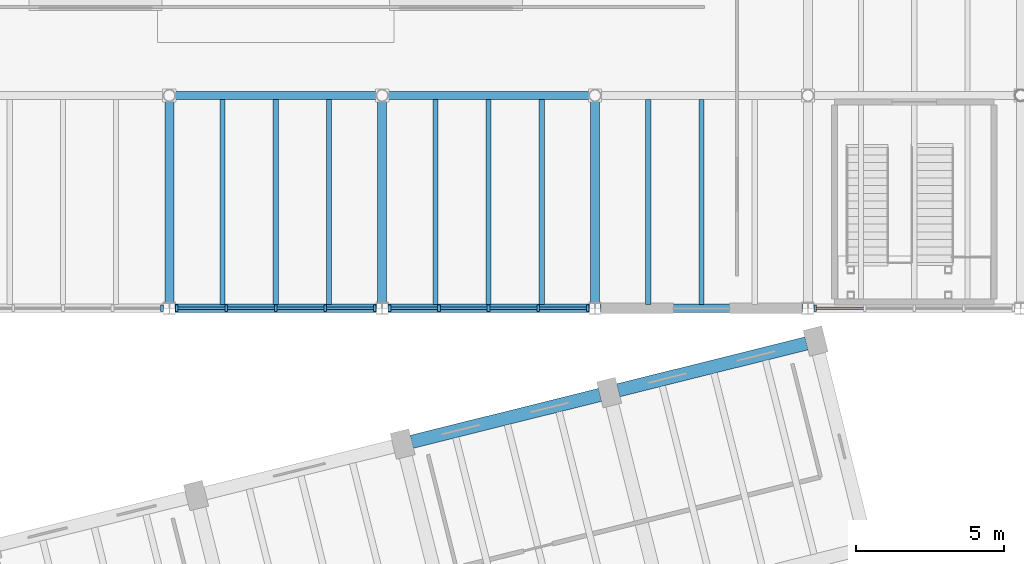
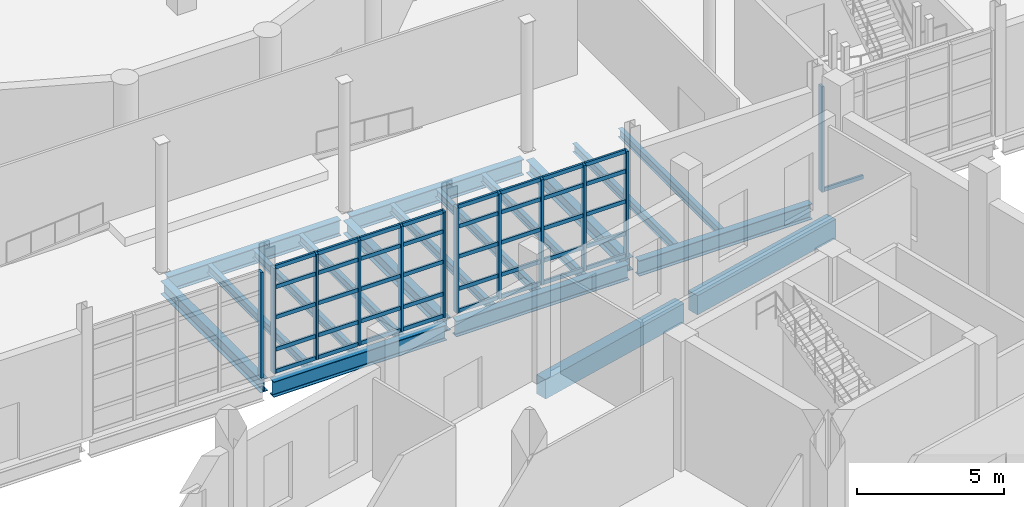
# One storey, part 25 of 79: 53 members, 18 beams, 4 elements without a shape of their own.
"""IFC4 building model written with IfcOpenShell, lengths in metres."""

from ifc_helpers import new_model, si_unit, direction, frame, origin, origin_2d, place, context, subcontext, project, spatial, rectangle, i_section, extrude, material, material_profile, profile_set, type_object, element, aggregate, save


model = new_model("IFC4")

# Units and contexts
model_context = context("Model", 3, precision=1e-05, world=origin(), true_north=direction((0.0, 1.0)))
body_context = subcontext(model_context, "Body", "Model", "MODEL_VIEW")
ifc_project = project(units=[si_unit("LENGTHUNIT", "METRE"), si_unit("AREAUNIT", "SQUARE_METRE"), si_unit("VOLUMEUNIT", "CUBIC_METRE"), si_unit("PLANEANGLEUNIT", "RADIAN"), si_unit("MASSUNIT", "GRAM", prefix="KILO")], contexts=[model_context])

# Site, building, storey
site_placement = place(None, origin())
site = spatial("IfcSite", under=ifc_project, at=site_placement, CompositionType="ELEMENT")
building_placement = place(site_placement, origin())
building = spatial("IfcBuilding", under=site, at=building_placement, Name="Qiaolan Assembly House", CompositionType="ELEMENT")
storey_placement = place(building_placement, origin())
storey = spatial("IfcBuildingStorey", under=building, at=storey_placement, Name="L00", CompositionType="ELEMENT", Elevation=0.0)

# Beams
ifc_material_1 = material(Name="Concrete C40/50", Category="concrete")
ifc_material_profile_1 = material_profile(ifc_material_1, rectangle(XDim=0.449951171875, YDim=0.800048828125, at=origin_2d()), Name="RCB 450x800")
ifc_profile_set_1 = profile_set([ifc_material_profile_1], Name="Concrete C40/50")
beam_type_1 = type_object("IfcBeamType", Name="BM-RC-450x800", PredefinedType="BEAM", material=ifc_profile_set_1)
beam_1_placement = place(storey_placement, frame((72.996826171875, 31.485595703125, -0.64990234375), z_axis=(0.970299675821, 0.241906054289, 0.0), x_axis=(-0.241906054289, 0.970299675821, 0.0)))
element("IfcBeam", 1, at=beam_1_placement, inside=storey, type_object=beam_type_1, Name="GB-03 beam BMU-SE-L00-06-03", PredefinedType="BEAM", context=body_context, shape_type="SweptSolid", body=[
    extrude(rectangle(XDim=0.449951171875, YDim=0.800048828125, at=origin_2d()), origin(), (0.0, 0.0, 1.0), 6.570068359375),
])
beam_2_placement = place(storey_placement, frame((79.983154296875, 33.2275390625, -0.64990234375), z_axis=(0.970297501204, 0.24191477664, 0.0), x_axis=(-0.24191477664, 0.970297501204, 0.0)))
element("IfcBeam", 2, at=beam_2_placement, inside=storey, type_object=beam_type_1, Name="GB-03 beam BMU-SE-L00-07-03", PredefinedType="BEAM", context=body_context, shape_type="SweptSolid", body=[
    extrude(rectangle(XDim=0.449951171875, YDim=0.800048828125, at=origin_2d()), origin(), (0.0, 0.0, 1.0), 6.56982421875),
])
ifc_material_2 = material(Name="Steel Q355B", Category="steel")
ifc_material_profile_2 = material_profile(ifc_material_2, i_section(OverallWidth=0.300048828125, OverallDepth=0.5400390625, WebThickness=0.010986328125, FlangeThickness=0.01806640625, FilletRadius=0.02001953125, at=origin_2d()), Name="HM 540x300x11x18")
ifc_profile_set_2 = profile_set([ifc_material_profile_2], Name="Steel Q355B")
beam_type_2 = type_object("IfcBeamType", Name="BM-STL-HM540", PredefinedType="BEAM", material=ifc_profile_set_2)
for number, where, z_axis, x_axis, name in (
    (3, (64.800048828125, 36.18994140625, -0.570068359375), (0.0, 1.0, 0.0), (-1.0, 0.0, 0.0), "SB-12 beam BMY-HL-L00-06-00"),
    (4, (72.0, 36.18994140625, -0.570068359375), (0.0, 1.0, 0.0), (-1.0, 0.0, 0.0), "SB-12 beam BMY-HL-L00-07-00"),
    (5, (79.199951171875, 36.18994140625, -0.570068359375), (0.0, 1.0, 0.0), (-1.0, 0.0, 0.0), "SB-12 beam BMY-HL-L00-08-00"),
):
    element("IfcBeam", number, at=place(storey_placement, frame(where, z_axis=z_axis, x_axis=x_axis)), inside=storey, type_object=beam_type_2, Name=name, PredefinedType="BEAM", context=body_context, shape_type="SweptSolid", body=[
        extrude(i_section(OverallWidth=0.300048828125, OverallDepth=0.5400390625, WebThickness=0.010986328125, FlangeThickness=0.01806640625, FilletRadius=0.02001953125, at=origin_2d()), origin(), (0.0, 0.0, 1.0), 6.81689453125),
    ])
ifc_material_profile_3 = material_profile(ifc_material_2, i_section(OverallWidth=0.280029296875, OverallDepth=0.64990234375, WebThickness=0.011962890625, FlangeThickness=0.02197265625, FilletRadius=0.02197265625, at=origin_2d()), Name="HN 650x280x12x22")
ifc_profile_set_3 = profile_set([ifc_material_profile_3], Name="Steel Q355B")
beam_type_3 = type_object("IfcBeamType", Name="BM-STL-HN650", PredefinedType="BEAM", material=ifc_profile_set_3)
for number, where, z_axis, x_axis, name in (
    (6, (64.989990234375, 36.0, -0.625), (1.0, 0.0, 0.0), (0.0, 1.0, 0.0), "SB-10 beam BMX-HL-L00-06-00"),
    (7, (72.18994140625, 36.0, -0.625), (1.0, 0.0, 0.0), (0.0, 1.0, 0.0), "SB-10 beam BMX-HL-L00-07-00"),
    (8, (79.389892578125, 36.0, -0.625), (1.0, 0.0, 0.0), (0.0, 1.0, 0.0), "SB-10 beam BMX-HL-L00-08-00"),
):
    element("IfcBeam", number, at=place(storey_placement, frame(where, z_axis=z_axis, x_axis=x_axis)), inside=storey, type_object=beam_type_3, Name=name, PredefinedType="BEAM", context=body_context, shape_type="SweptSolid", body=[
        extrude(i_section(OverallWidth=0.280029296875, OverallDepth=0.64990234375, WebThickness=0.011962890625, FlangeThickness=0.02197265625, FilletRadius=0.02197265625, at=origin_2d()), origin(), (0.0, 0.0, 1.0), 6.820068359375),
    ])
for number, where, z_axis, x_axis, name in (
    (9, (64.9931640625, 43.199951171875, -0.625), (1.0, 0.0, 0.0), (0.0, 1.0, 0.0), "SB-10 beam BMX-HL-L00-06-01"),
    (10, (72.193115234375, 43.199951171875, -0.625), (1.0, 0.0, 0.0), (0.0, 1.0, 0.0), "SB-10 beam BMX-HL-L00-07-01"),
):
    element("IfcBeam", number, at=place(storey_placement, frame(where, z_axis=z_axis, x_axis=x_axis)), inside=storey, type_object=beam_type_3, Name=name, PredefinedType="BEAM", context=body_context, shape_type="SweptSolid", body=[
        extrude(i_section(OverallWidth=0.280029296875, OverallDepth=0.64990234375, WebThickness=0.011962890625, FlangeThickness=0.02197265625, FilletRadius=0.02197265625, at=origin_2d()), origin(), (0.0, 0.0, 1.0), 6.813720703125),
    ])

# Curtain wall, member
ifc_material_3 = material(Name="Anodised bronze aluminium", Category="aluminium")
curtain_wall_type = type_object("IfcCurtainWallType", Name="CW-HALL-MAIN-540", PredefinedType="NOTDEFINED", material=ifc_material_3)
curtain_wall_1_placement = place(storey_placement, origin())
curtain_wall_1 = element("IfcCurtainWall", 11, at=curtain_wall_1_placement, inside=storey, type_object=curtain_wall_type, Name="CW-01 Hall South plaza curtain wall L00-5", PredefinedType="NOTDEFINED")
ifc_material_profile_4 = material_profile(ifc_material_3, rectangle(XDim=0.092041015625, YDim=0.219970703125, at=origin_2d()), Name="MUL 92x220")
ifc_profile_set_4 = profile_set([ifc_material_profile_4], Name="Anodised bronze aluminium")
member_type_1 = type_object("IfcMemberType", Name="CW-HALL-MAIN-540-MUL", PredefinedType="MULLION", material=ifc_profile_set_4)
member_1_placement = place(storey_placement, frame((64.550048828125, 36.0, 0.0), z_axis=(0.0, 0.0, 1.0), x_axis=(1.0, 0.0, 0.0)))
member_1 = element("IfcMember", 12, at=member_1_placement, type_object=member_type_1, Name="ML-01 mullion CW-HALL-S-L00-04-5", PredefinedType="MULLION", context=body_context, shape_type="SweptSolid", body=[
    extrude(rectangle(XDim=0.092041015625, YDim=0.219970703125, at=origin_2d()), origin(), (0.0, 0.0, 1.0), 4.39990234375),
])
aggregate(curtain_wall_1, [member_1])

# Curtain wall, members
curtain_wall_2_placement = place(storey_placement, origin())
curtain_wall_2 = element("IfcCurtainWall", 13, at=curtain_wall_2_placement, inside=storey, type_object=curtain_wall_type, Name="CW-01 Hall South plaza curtain wall L00-6", PredefinedType="NOTDEFINED")
member_2_placement = place(storey_placement, frame((65.050048828125, 36.0, 0.0), z_axis=(0.0, 0.0, 1.0), x_axis=(1.0, 0.0, 0.0)))
member_2 = element("IfcMember", 14, at=member_2_placement, type_object=member_type_1, Name="ML-01 mullion CW-HALL-S-L00-05-1", PredefinedType="MULLION", context=body_context, shape_type="SweptSolid", body=[
    extrude(rectangle(XDim=0.092041015625, YDim=0.219970703125, at=origin_2d()), origin(), (0.0, 0.0, 1.0), 4.39990234375),
])
member_3_placement = place(storey_placement, frame((66.72509765625, 36.0, 0.0), z_axis=(0.0, 0.0, 1.0), x_axis=(1.0, 0.0, 0.0)))
member_3 = element("IfcMember", 15, at=member_3_placement, type_object=member_type_1, Name="ML-01 mullion CW-HALL-S-L00-05-2", PredefinedType="MULLION", context=body_context, shape_type="SweptSolid", body=[
    extrude(rectangle(XDim=0.092041015625, YDim=0.219970703125, at=origin_2d()), origin(), (0.0, 0.0, 1.0), 4.39990234375),
])
member_4_placement = place(storey_placement, frame((68.39990234375, 36.0, 0.0), z_axis=(0.0, 0.0, 1.0), x_axis=(1.0, 0.0, 0.0)))
member_4 = element("IfcMember", 16, at=member_4_placement, type_object=member_type_1, Name="ML-01 mullion CW-HALL-S-L00-05-3", PredefinedType="MULLION", context=body_context, shape_type="SweptSolid", body=[
    extrude(rectangle(XDim=0.092041015625, YDim=0.219970703125, at=origin_2d()), origin(), (0.0, 0.0, 1.0), 4.39990234375),
])
member_5_placement = place(storey_placement, frame((70.074951171875, 36.0, 0.0), z_axis=(0.0, 0.0, 1.0), x_axis=(1.0, 0.0, 0.0)))
member_5 = element("IfcMember", 17, at=member_5_placement, type_object=member_type_1, Name="ML-01 mullion CW-HALL-S-L00-05-4", PredefinedType="MULLION", context=body_context, shape_type="SweptSolid", body=[
    extrude(rectangle(XDim=0.092041015625, YDim=0.219970703125, at=origin_2d()), origin(), (0.0, 0.0, 1.0), 4.39990234375),
])
member_6_placement = place(storey_placement, frame((71.75, 36.0, 0.0), z_axis=(0.0, 0.0, 1.0), x_axis=(1.0, 0.0, 0.0)))
member_6 = element("IfcMember", 18, at=member_6_placement, type_object=member_type_1, Name="ML-01 mullion CW-HALL-S-L00-05-5", PredefinedType="MULLION", context=body_context, shape_type="SweptSolid", body=[
    extrude(rectangle(XDim=0.092041015625, YDim=0.219970703125, at=origin_2d()), origin(), (0.0, 0.0, 1.0), 4.39990234375),
])

curtain_wall_3_placement = place(storey_placement, origin())
curtain_wall_3 = element("IfcCurtainWall", 19, at=curtain_wall_3_placement, inside=storey, type_object=curtain_wall_type, Name="CW-01 Hall South plaza curtain wall L00-7", PredefinedType="NOTDEFINED")
member_7_placement = place(storey_placement, frame((72.25, 36.0, 0.0), z_axis=(0.0, 0.0, 1.0), x_axis=(1.0, 0.0, 0.0)))
member_7 = element("IfcMember", 20, at=member_7_placement, type_object=member_type_1, Name="ML-01 mullion CW-HALL-S-L00-06-1", PredefinedType="MULLION", context=body_context, shape_type="SweptSolid", body=[
    extrude(rectangle(XDim=0.092041015625, YDim=0.219970703125, at=origin_2d()), origin(), (0.0, 0.0, 1.0), 4.39990234375),
])
member_8_placement = place(storey_placement, frame((73.925048828125, 36.0, 0.0), z_axis=(0.0, 0.0, 1.0), x_axis=(1.0, 0.0, 0.0)))
member_8 = element("IfcMember", 21, at=member_8_placement, type_object=member_type_1, Name="ML-01 mullion CW-HALL-S-L00-06-2", PredefinedType="MULLION", context=body_context, shape_type="SweptSolid", body=[
    extrude(rectangle(XDim=0.092041015625, YDim=0.219970703125, at=origin_2d()), origin(), (0.0, 0.0, 1.0), 4.39990234375),
])
member_9_placement = place(storey_placement, frame((75.60009765625, 36.0, 0.0), z_axis=(0.0, 0.0, 1.0), x_axis=(1.0, 0.0, 0.0)))
member_9 = element("IfcMember", 22, at=member_9_placement, type_object=member_type_1, Name="ML-01 mullion CW-HALL-S-L00-06-3", PredefinedType="MULLION", context=body_context, shape_type="SweptSolid", body=[
    extrude(rectangle(XDim=0.092041015625, YDim=0.219970703125, at=origin_2d()), origin(), (0.0, 0.0, 1.0), 4.39990234375),
])
member_10_placement = place(storey_placement, frame((77.27490234375, 36.0, 0.0), z_axis=(0.0, 0.0, 1.0), x_axis=(1.0, 0.0, 0.0)))
member_10 = element("IfcMember", 23, at=member_10_placement, type_object=member_type_1, Name="ML-01 mullion CW-HALL-S-L00-06-4", PredefinedType="MULLION", context=body_context, shape_type="SweptSolid", body=[
    extrude(rectangle(XDim=0.092041015625, YDim=0.219970703125, at=origin_2d()), origin(), (0.0, 0.0, 1.0), 4.39990234375),
])
member_11_placement = place(storey_placement, frame((78.949951171875, 36.0, 0.0), z_axis=(0.0, 0.0, 1.0), x_axis=(1.0, 0.0, 0.0)))
member_11 = element("IfcMember", 24, at=member_11_placement, type_object=member_type_1, Name="ML-01 mullion CW-HALL-S-L00-06-5", PredefinedType="MULLION", context=body_context, shape_type="SweptSolid", body=[
    extrude(rectangle(XDim=0.092041015625, YDim=0.219970703125, at=origin_2d()), origin(), (0.0, 0.0, 1.0), 4.39990234375),
])

# Curtain wall, member
curtain_wall_4_placement = place(storey_placement, origin())
curtain_wall_4 = element("IfcCurtainWall", 25, at=curtain_wall_4_placement, inside=storey, type_object=curtain_wall_type, Name="CW-01 Hall South plaza curtain wall L00-9", PredefinedType="NOTDEFINED")
member_12_placement = place(storey_placement, frame((86.64990234375, 36.0, 0.0), z_axis=(0.0, 0.0, 1.0), x_axis=(1.0, 0.0, 0.0)))
member_12 = element("IfcMember", 26, at=member_12_placement, type_object=member_type_1, Name="ML-01 mullion CW-HALL-S-L00-08-1", PredefinedType="MULLION", context=body_context, shape_type="SweptSolid", body=[
    extrude(rectangle(XDim=0.092041015625, YDim=0.219970703125, at=origin_2d()), origin(), (0.0, 0.0, 1.0), 4.39990234375),
])

# Member
ifc_material_profile_5 = material_profile(ifc_material_3, rectangle(XDim=0.08203125, YDim=0.159912109375, at=origin_2d()), Name="TRN 82x160")
ifc_profile_set_5 = profile_set([ifc_material_profile_5], Name="Anodised bronze aluminium")
member_type_2 = type_object("IfcMemberType", Name="CW-HALL-MAIN-540-TRN", PredefinedType="USERDEFINED", material=ifc_profile_set_5)
member_13_placement = place(storey_placement, frame((65.095947265625, 36.0, 0.030029296875), z_axis=(1.0, 0.0, 0.0), x_axis=(0.0, 1.0, 0.0)))
member_13 = element("IfcMember", 27, at=member_13_placement, type_object=member_type_2, Name="TR-01 transom CW-HALL-S-L00-05-1-1", ObjectType="TRANSOM", PredefinedType="USERDEFINED", context=body_context, shape_type="SweptSolid", body=[
    extrude(rectangle(XDim=0.08203125, YDim=0.159912109375, at=origin_2d()), origin(), (0.0, 0.0, 1.0), 1.5830078125),
])

member_14_placement = place(storey_placement, frame((65.095947265625, 36.0, 0.949951171875), z_axis=(1.0, 0.0, 0.0), x_axis=(0.0, 1.0, 0.0)))
member_14 = element("IfcMember", 28, at=member_14_placement, type_object=member_type_2, Name="TR-01 transom CW-HALL-S-L00-05-1-2", ObjectType="TRANSOM", PredefinedType="USERDEFINED", context=body_context, shape_type="SweptSolid", body=[
    extrude(rectangle(XDim=0.08203125, YDim=0.159912109375, at=origin_2d()), origin(), (0.0, 0.0, 1.0), 1.5830078125),
])

member_15_placement = place(storey_placement, frame((65.095947265625, 36.0, 2.2880859375), z_axis=(1.0, 0.0, 0.0), x_axis=(0.0, 1.0, 0.0)))
member_15 = element("IfcMember", 29, at=member_15_placement, type_object=member_type_2, Name="TR-01 transom CW-HALL-S-L00-05-1-3", ObjectType="TRANSOM", PredefinedType="USERDEFINED", context=body_context, shape_type="SweptSolid", body=[
    extrude(rectangle(XDim=0.08203125, YDim=0.159912109375, at=origin_2d()), origin(), (0.0, 0.0, 1.0), 1.5830078125),
])

member_16_placement = place(storey_placement, frame((65.095947265625, 36.0, 3.550048828125), z_axis=(1.0, 0.0, 0.0), x_axis=(0.0, 1.0, 0.0)))
member_16 = element("IfcMember", 30, at=member_16_placement, type_object=member_type_2, Name="TR-01 transom CW-HALL-S-L00-05-1-4", ObjectType="TRANSOM", PredefinedType="USERDEFINED", context=body_context, shape_type="SweptSolid", body=[
    extrude(rectangle(XDim=0.08203125, YDim=0.159912109375, at=origin_2d()), origin(), (0.0, 0.0, 1.0), 1.5830078125),
])

member_17_placement = place(storey_placement, frame((65.095947265625, 36.0, 4.3701171875), z_axis=(1.0, 0.0, 0.0), x_axis=(0.0, 1.0, 0.0)))
member_17 = element("IfcMember", 31, at=member_17_placement, type_object=member_type_2, Name="TR-01 transom CW-HALL-S-L00-05-1-5", ObjectType="TRANSOM", PredefinedType="USERDEFINED", context=body_context, shape_type="SweptSolid", body=[
    extrude(rectangle(XDim=0.08203125, YDim=0.159912109375, at=origin_2d()), origin(), (0.0, 0.0, 1.0), 1.5830078125),
])

member_18_placement = place(storey_placement, frame((66.77099609375, 36.0, 0.030029296875), z_axis=(1.0, 0.0, 0.0), x_axis=(0.0, 1.0, 0.0)))
member_18 = element("IfcMember", 32, at=member_18_placement, type_object=member_type_2, Name="TR-01 transom CW-HALL-S-L00-05-2-1", ObjectType="TRANSOM", PredefinedType="USERDEFINED", context=body_context, shape_type="SweptSolid", body=[
    extrude(rectangle(XDim=0.08203125, YDim=0.159912109375, at=origin_2d()), origin(), (0.0, 0.0, 1.0), 1.5830078125),
])

member_19_placement = place(storey_placement, frame((66.77099609375, 36.0, 0.949951171875), z_axis=(1.0, 0.0, 0.0), x_axis=(0.0, 1.0, 0.0)))
member_19 = element("IfcMember", 33, at=member_19_placement, type_object=member_type_2, Name="TR-01 transom CW-HALL-S-L00-05-2-2", ObjectType="TRANSOM", PredefinedType="USERDEFINED", context=body_context, shape_type="SweptSolid", body=[
    extrude(rectangle(XDim=0.08203125, YDim=0.159912109375, at=origin_2d()), origin(), (0.0, 0.0, 1.0), 1.5830078125),
])

member_20_placement = place(storey_placement, frame((66.77099609375, 36.0, 2.2880859375), z_axis=(1.0, 0.0, 0.0), x_axis=(0.0, 1.0, 0.0)))
member_20 = element("IfcMember", 34, at=member_20_placement, type_object=member_type_2, Name="TR-01 transom CW-HALL-S-L00-05-2-3", ObjectType="TRANSOM", PredefinedType="USERDEFINED", context=body_context, shape_type="SweptSolid", body=[
    extrude(rectangle(XDim=0.08203125, YDim=0.159912109375, at=origin_2d()), origin(), (0.0, 0.0, 1.0), 1.5830078125),
])

member_21_placement = place(storey_placement, frame((66.77099609375, 36.0, 3.550048828125), z_axis=(1.0, 0.0, 0.0), x_axis=(0.0, 1.0, 0.0)))
member_21 = element("IfcMember", 35, at=member_21_placement, type_object=member_type_2, Name="TR-01 transom CW-HALL-S-L00-05-2-4", ObjectType="TRANSOM", PredefinedType="USERDEFINED", context=body_context, shape_type="SweptSolid", body=[
    extrude(rectangle(XDim=0.08203125, YDim=0.159912109375, at=origin_2d()), origin(), (0.0, 0.0, 1.0), 1.5830078125),
])

member_22_placement = place(storey_placement, frame((66.77099609375, 36.0, 4.3701171875), z_axis=(1.0, 0.0, 0.0), x_axis=(0.0, 1.0, 0.0)))
member_22 = element("IfcMember", 36, at=member_22_placement, type_object=member_type_2, Name="TR-01 transom CW-HALL-S-L00-05-2-5", ObjectType="TRANSOM", PredefinedType="USERDEFINED", context=body_context, shape_type="SweptSolid", body=[
    extrude(rectangle(XDim=0.08203125, YDim=0.159912109375, at=origin_2d()), origin(), (0.0, 0.0, 1.0), 1.5830078125),
])

member_23_placement = place(storey_placement, frame((68.446044921875, 36.0, 0.030029296875), z_axis=(1.0, 0.0, 0.0), x_axis=(0.0, 1.0, 0.0)))
member_23 = element("IfcMember", 37, at=member_23_placement, type_object=member_type_2, Name="TR-01 transom CW-HALL-S-L00-05-3-1", ObjectType="TRANSOM", PredefinedType="USERDEFINED", context=body_context, shape_type="SweptSolid", body=[
    extrude(rectangle(XDim=0.08203125, YDim=0.159912109375, at=origin_2d()), origin(), (0.0, 0.0, 1.0), 1.5830078125),
])

member_24_placement = place(storey_placement, frame((68.446044921875, 36.0, 0.949951171875), z_axis=(1.0, 0.0, 0.0), x_axis=(0.0, 1.0, 0.0)))
member_24 = element("IfcMember", 38, at=member_24_placement, type_object=member_type_2, Name="TR-01 transom CW-HALL-S-L00-05-3-2", ObjectType="TRANSOM", PredefinedType="USERDEFINED", context=body_context, shape_type="SweptSolid", body=[
    extrude(rectangle(XDim=0.08203125, YDim=0.159912109375, at=origin_2d()), origin(), (0.0, 0.0, 1.0), 1.5830078125),
])

member_25_placement = place(storey_placement, frame((68.446044921875, 36.0, 2.2880859375), z_axis=(1.0, 0.0, 0.0), x_axis=(0.0, 1.0, 0.0)))
member_25 = element("IfcMember", 39, at=member_25_placement, type_object=member_type_2, Name="TR-01 transom CW-HALL-S-L00-05-3-3", ObjectType="TRANSOM", PredefinedType="USERDEFINED", context=body_context, shape_type="SweptSolid", body=[
    extrude(rectangle(XDim=0.08203125, YDim=0.159912109375, at=origin_2d()), origin(), (0.0, 0.0, 1.0), 1.5830078125),
])

member_26_placement = place(storey_placement, frame((68.446044921875, 36.0, 3.550048828125), z_axis=(1.0, 0.0, 0.0), x_axis=(0.0, 1.0, 0.0)))
member_26 = element("IfcMember", 40, at=member_26_placement, type_object=member_type_2, Name="TR-01 transom CW-HALL-S-L00-05-3-4", ObjectType="TRANSOM", PredefinedType="USERDEFINED", context=body_context, shape_type="SweptSolid", body=[
    extrude(rectangle(XDim=0.08203125, YDim=0.159912109375, at=origin_2d()), origin(), (0.0, 0.0, 1.0), 1.5830078125),
])

member_27_placement = place(storey_placement, frame((68.446044921875, 36.0, 4.3701171875), z_axis=(1.0, 0.0, 0.0), x_axis=(0.0, 1.0, 0.0)))
member_27 = element("IfcMember", 41, at=member_27_placement, type_object=member_type_2, Name="TR-01 transom CW-HALL-S-L00-05-3-5", ObjectType="TRANSOM", PredefinedType="USERDEFINED", context=body_context, shape_type="SweptSolid", body=[
    extrude(rectangle(XDim=0.08203125, YDim=0.159912109375, at=origin_2d()), origin(), (0.0, 0.0, 1.0), 1.5830078125),
])

member_28_placement = place(storey_placement, frame((70.12109375, 36.0, 0.030029296875), z_axis=(1.0, 0.0, 0.0), x_axis=(0.0, 1.0, 0.0)))
member_28 = element("IfcMember", 42, at=member_28_placement, type_object=member_type_2, Name="TR-01 transom CW-HALL-S-L00-05-4-1", ObjectType="TRANSOM", PredefinedType="USERDEFINED", context=body_context, shape_type="SweptSolid", body=[
    extrude(rectangle(XDim=0.08203125, YDim=0.159912109375, at=origin_2d()), origin(), (0.0, 0.0, 1.0), 1.5830078125),
])

member_29_placement = place(storey_placement, frame((70.12109375, 36.0, 0.949951171875), z_axis=(1.0, 0.0, 0.0), x_axis=(0.0, 1.0, 0.0)))
member_29 = element("IfcMember", 43, at=member_29_placement, type_object=member_type_2, Name="TR-01 transom CW-HALL-S-L00-05-4-2", ObjectType="TRANSOM", PredefinedType="USERDEFINED", context=body_context, shape_type="SweptSolid", body=[
    extrude(rectangle(XDim=0.08203125, YDim=0.159912109375, at=origin_2d()), origin(), (0.0, 0.0, 1.0), 1.5830078125),
])

member_30_placement = place(storey_placement, frame((70.12109375, 36.0, 2.2880859375), z_axis=(1.0, 0.0, 0.0), x_axis=(0.0, 1.0, 0.0)))
member_30 = element("IfcMember", 44, at=member_30_placement, type_object=member_type_2, Name="TR-01 transom CW-HALL-S-L00-05-4-3", ObjectType="TRANSOM", PredefinedType="USERDEFINED", context=body_context, shape_type="SweptSolid", body=[
    extrude(rectangle(XDim=0.08203125, YDim=0.159912109375, at=origin_2d()), origin(), (0.0, 0.0, 1.0), 1.5830078125),
])

member_31_placement = place(storey_placement, frame((70.12109375, 36.0, 3.550048828125), z_axis=(1.0, 0.0, 0.0), x_axis=(0.0, 1.0, 0.0)))
member_31 = element("IfcMember", 45, at=member_31_placement, type_object=member_type_2, Name="TR-01 transom CW-HALL-S-L00-05-4-4", ObjectType="TRANSOM", PredefinedType="USERDEFINED", context=body_context, shape_type="SweptSolid", body=[
    extrude(rectangle(XDim=0.08203125, YDim=0.159912109375, at=origin_2d()), origin(), (0.0, 0.0, 1.0), 1.5830078125),
])

member_32_placement = place(storey_placement, frame((70.12109375, 36.0, 4.3701171875), z_axis=(1.0, 0.0, 0.0), x_axis=(0.0, 1.0, 0.0)))
member_32 = element("IfcMember", 46, at=member_32_placement, type_object=member_type_2, Name="TR-01 transom CW-HALL-S-L00-05-4-5", ObjectType="TRANSOM", PredefinedType="USERDEFINED", context=body_context, shape_type="SweptSolid", body=[
    extrude(rectangle(XDim=0.08203125, YDim=0.159912109375, at=origin_2d()), origin(), (0.0, 0.0, 1.0), 1.5830078125),
])

aggregate(curtain_wall_2, [member_2, member_3, member_4, member_5, member_6, member_13, member_14, member_15, member_16, member_17, member_18, member_19, member_20, member_21, member_22, member_23, member_24, member_25, member_26, member_27, member_28, member_29, member_30, member_31, member_32])

member_33_placement = place(storey_placement, frame((72.2958984375, 36.0, 0.030029296875), z_axis=(1.0, 0.0, 0.0), x_axis=(0.0, 1.0, 0.0)))
member_33 = element("IfcMember", 47, at=member_33_placement, type_object=member_type_2, Name="TR-01 transom CW-HALL-S-L00-06-1-1", ObjectType="TRANSOM", PredefinedType="USERDEFINED", context=body_context, shape_type="SweptSolid", body=[
    extrude(rectangle(XDim=0.08203125, YDim=0.159912109375, at=origin_2d()), origin(), (0.0, 0.0, 1.0), 1.5830078125),
])

member_34_placement = place(storey_placement, frame((72.2958984375, 36.0, 0.949951171875), z_axis=(1.0, 0.0, 0.0), x_axis=(0.0, 1.0, 0.0)))
member_34 = element("IfcMember", 48, at=member_34_placement, type_object=member_type_2, Name="TR-01 transom CW-HALL-S-L00-06-1-2", ObjectType="TRANSOM", PredefinedType="USERDEFINED", context=body_context, shape_type="SweptSolid", body=[
    extrude(rectangle(XDim=0.08203125, YDim=0.159912109375, at=origin_2d()), origin(), (0.0, 0.0, 1.0), 1.5830078125),
])

member_35_placement = place(storey_placement, frame((72.2958984375, 36.0, 2.2880859375), z_axis=(1.0, 0.0, 0.0), x_axis=(0.0, 1.0, 0.0)))
member_35 = element("IfcMember", 49, at=member_35_placement, type_object=member_type_2, Name="TR-01 transom CW-HALL-S-L00-06-1-3", ObjectType="TRANSOM", PredefinedType="USERDEFINED", context=body_context, shape_type="SweptSolid", body=[
    extrude(rectangle(XDim=0.08203125, YDim=0.159912109375, at=origin_2d()), origin(), (0.0, 0.0, 1.0), 1.5830078125),
])

member_36_placement = place(storey_placement, frame((72.2958984375, 36.0, 3.550048828125), z_axis=(1.0, 0.0, 0.0), x_axis=(0.0, 1.0, 0.0)))
member_36 = element("IfcMember", 50, at=member_36_placement, type_object=member_type_2, Name="TR-01 transom CW-HALL-S-L00-06-1-4", ObjectType="TRANSOM", PredefinedType="USERDEFINED", context=body_context, shape_type="SweptSolid", body=[
    extrude(rectangle(XDim=0.08203125, YDim=0.159912109375, at=origin_2d()), origin(), (0.0, 0.0, 1.0), 1.5830078125),
])

member_37_placement = place(storey_placement, frame((72.2958984375, 36.0, 4.3701171875), z_axis=(1.0, 0.0, 0.0), x_axis=(0.0, 1.0, 0.0)))
member_37 = element("IfcMember", 51, at=member_37_placement, type_object=member_type_2, Name="TR-01 transom CW-HALL-S-L00-06-1-5", ObjectType="TRANSOM", PredefinedType="USERDEFINED", context=body_context, shape_type="SweptSolid", body=[
    extrude(rectangle(XDim=0.08203125, YDim=0.159912109375, at=origin_2d()), origin(), (0.0, 0.0, 1.0), 1.5830078125),
])

member_38_placement = place(storey_placement, frame((73.970947265625, 36.0, 0.030029296875), z_axis=(1.0, 0.0, 0.0), x_axis=(0.0, 1.0, 0.0)))
member_38 = element("IfcMember", 52, at=member_38_placement, type_object=member_type_2, Name="TR-01 transom CW-HALL-S-L00-06-2-1", ObjectType="TRANSOM", PredefinedType="USERDEFINED", context=body_context, shape_type="SweptSolid", body=[
    extrude(rectangle(XDim=0.08203125, YDim=0.159912109375, at=origin_2d()), origin(), (0.0, 0.0, 1.0), 1.5830078125),
])

member_39_placement = place(storey_placement, frame((73.970947265625, 36.0, 0.949951171875), z_axis=(1.0, 0.0, 0.0), x_axis=(0.0, 1.0, 0.0)))
member_39 = element("IfcMember", 53, at=member_39_placement, type_object=member_type_2, Name="TR-01 transom CW-HALL-S-L00-06-2-2", ObjectType="TRANSOM", PredefinedType="USERDEFINED", context=body_context, shape_type="SweptSolid", body=[
    extrude(rectangle(XDim=0.08203125, YDim=0.159912109375, at=origin_2d()), origin(), (0.0, 0.0, 1.0), 1.5830078125),
])

member_40_placement = place(storey_placement, frame((73.970947265625, 36.0, 2.2880859375), z_axis=(1.0, 0.0, 0.0), x_axis=(0.0, 1.0, 0.0)))
member_40 = element("IfcMember", 54, at=member_40_placement, type_object=member_type_2, Name="TR-01 transom CW-HALL-S-L00-06-2-3", ObjectType="TRANSOM", PredefinedType="USERDEFINED", context=body_context, shape_type="SweptSolid", body=[
    extrude(rectangle(XDim=0.08203125, YDim=0.159912109375, at=origin_2d()), origin(), (0.0, 0.0, 1.0), 1.5830078125),
])

member_41_placement = place(storey_placement, frame((73.970947265625, 36.0, 3.550048828125), z_axis=(1.0, 0.0, 0.0), x_axis=(0.0, 1.0, 0.0)))
member_41 = element("IfcMember", 55, at=member_41_placement, type_object=member_type_2, Name="TR-01 transom CW-HALL-S-L00-06-2-4", ObjectType="TRANSOM", PredefinedType="USERDEFINED", context=body_context, shape_type="SweptSolid", body=[
    extrude(rectangle(XDim=0.08203125, YDim=0.159912109375, at=origin_2d()), origin(), (0.0, 0.0, 1.0), 1.5830078125),
])

member_42_placement = place(storey_placement, frame((73.970947265625, 36.0, 4.3701171875), z_axis=(1.0, 0.0, 0.0), x_axis=(0.0, 1.0, 0.0)))
member_42 = element("IfcMember", 56, at=member_42_placement, type_object=member_type_2, Name="TR-01 transom CW-HALL-S-L00-06-2-5", ObjectType="TRANSOM", PredefinedType="USERDEFINED", context=body_context, shape_type="SweptSolid", body=[
    extrude(rectangle(XDim=0.08203125, YDim=0.159912109375, at=origin_2d()), origin(), (0.0, 0.0, 1.0), 1.5830078125),
])

member_43_placement = place(storey_placement, frame((75.64599609375, 36.0, 0.030029296875), z_axis=(1.0, 0.0, 0.0), x_axis=(0.0, 1.0, 0.0)))
member_43 = element("IfcMember", 57, at=member_43_placement, type_object=member_type_2, Name="TR-01 transom CW-HALL-S-L00-06-3-1", ObjectType="TRANSOM", PredefinedType="USERDEFINED", context=body_context, shape_type="SweptSolid", body=[
    extrude(rectangle(XDim=0.08203125, YDim=0.159912109375, at=origin_2d()), origin(), (0.0, 0.0, 1.0), 1.5830078125),
])

member_44_placement = place(storey_placement, frame((75.64599609375, 36.0, 0.949951171875), z_axis=(1.0, 0.0, 0.0), x_axis=(0.0, 1.0, 0.0)))
member_44 = element("IfcMember", 58, at=member_44_placement, type_object=member_type_2, Name="TR-01 transom CW-HALL-S-L00-06-3-2", ObjectType="TRANSOM", PredefinedType="USERDEFINED", context=body_context, shape_type="SweptSolid", body=[
    extrude(rectangle(XDim=0.08203125, YDim=0.159912109375, at=origin_2d()), origin(), (0.0, 0.0, 1.0), 1.5830078125),
])

member_45_placement = place(storey_placement, frame((75.64599609375, 36.0, 2.2880859375), z_axis=(1.0, 0.0, 0.0), x_axis=(0.0, 1.0, 0.0)))
member_45 = element("IfcMember", 59, at=member_45_placement, type_object=member_type_2, Name="TR-01 transom CW-HALL-S-L00-06-3-3", ObjectType="TRANSOM", PredefinedType="USERDEFINED", context=body_context, shape_type="SweptSolid", body=[
    extrude(rectangle(XDim=0.08203125, YDim=0.159912109375, at=origin_2d()), origin(), (0.0, 0.0, 1.0), 1.5830078125),
])

member_46_placement = place(storey_placement, frame((75.64599609375, 36.0, 3.550048828125), z_axis=(1.0, 0.0, 0.0), x_axis=(0.0, 1.0, 0.0)))
member_46 = element("IfcMember", 60, at=member_46_placement, type_object=member_type_2, Name="TR-01 transom CW-HALL-S-L00-06-3-4", ObjectType="TRANSOM", PredefinedType="USERDEFINED", context=body_context, shape_type="SweptSolid", body=[
    extrude(rectangle(XDim=0.08203125, YDim=0.159912109375, at=origin_2d()), origin(), (0.0, 0.0, 1.0), 1.5830078125),
])

member_47_placement = place(storey_placement, frame((75.64599609375, 36.0, 4.3701171875), z_axis=(1.0, 0.0, 0.0), x_axis=(0.0, 1.0, 0.0)))
member_47 = element("IfcMember", 61, at=member_47_placement, type_object=member_type_2, Name="TR-01 transom CW-HALL-S-L00-06-3-5", ObjectType="TRANSOM", PredefinedType="USERDEFINED", context=body_context, shape_type="SweptSolid", body=[
    extrude(rectangle(XDim=0.08203125, YDim=0.159912109375, at=origin_2d()), origin(), (0.0, 0.0, 1.0), 1.5830078125),
])

member_48_placement = place(storey_placement, frame((77.321044921875, 36.0, 0.030029296875), z_axis=(1.0, 0.0, 0.0), x_axis=(0.0, 1.0, 0.0)))
member_48 = element("IfcMember", 62, at=member_48_placement, type_object=member_type_2, Name="TR-01 transom CW-HALL-S-L00-06-4-1", ObjectType="TRANSOM", PredefinedType="USERDEFINED", context=body_context, shape_type="SweptSolid", body=[
    extrude(rectangle(XDim=0.08203125, YDim=0.159912109375, at=origin_2d()), origin(), (0.0, 0.0, 1.0), 1.5830078125),
])

member_49_placement = place(storey_placement, frame((77.321044921875, 36.0, 0.949951171875), z_axis=(1.0, 0.0, 0.0), x_axis=(0.0, 1.0, 0.0)))
member_49 = element("IfcMember", 63, at=member_49_placement, type_object=member_type_2, Name="TR-01 transom CW-HALL-S-L00-06-4-2", ObjectType="TRANSOM", PredefinedType="USERDEFINED", context=body_context, shape_type="SweptSolid", body=[
    extrude(rectangle(XDim=0.08203125, YDim=0.159912109375, at=origin_2d()), origin(), (0.0, 0.0, 1.0), 1.5830078125),
])

member_50_placement = place(storey_placement, frame((77.321044921875, 36.0, 2.2880859375), z_axis=(1.0, 0.0, 0.0), x_axis=(0.0, 1.0, 0.0)))
member_50 = element("IfcMember", 64, at=member_50_placement, type_object=member_type_2, Name="TR-01 transom CW-HALL-S-L00-06-4-3", ObjectType="TRANSOM", PredefinedType="USERDEFINED", context=body_context, shape_type="SweptSolid", body=[
    extrude(rectangle(XDim=0.08203125, YDim=0.159912109375, at=origin_2d()), origin(), (0.0, 0.0, 1.0), 1.5830078125),
])

member_51_placement = place(storey_placement, frame((77.321044921875, 36.0, 3.550048828125), z_axis=(1.0, 0.0, 0.0), x_axis=(0.0, 1.0, 0.0)))
member_51 = element("IfcMember", 65, at=member_51_placement, type_object=member_type_2, Name="TR-01 transom CW-HALL-S-L00-06-4-4", ObjectType="TRANSOM", PredefinedType="USERDEFINED", context=body_context, shape_type="SweptSolid", body=[
    extrude(rectangle(XDim=0.08203125, YDim=0.159912109375, at=origin_2d()), origin(), (0.0, 0.0, 1.0), 1.5830078125),
])

member_52_placement = place(storey_placement, frame((77.321044921875, 36.0, 4.3701171875), z_axis=(1.0, 0.0, 0.0), x_axis=(0.0, 1.0, 0.0)))
member_52 = element("IfcMember", 66, at=member_52_placement, type_object=member_type_2, Name="TR-01 transom CW-HALL-S-L00-06-4-5", ObjectType="TRANSOM", PredefinedType="USERDEFINED", context=body_context, shape_type="SweptSolid", body=[
    extrude(rectangle(XDim=0.08203125, YDim=0.159912109375, at=origin_2d()), origin(), (0.0, 0.0, 1.0), 1.5830078125),
])

aggregate(curtain_wall_3, [member_7, member_8, member_9, member_10, member_11, member_33, member_34, member_35, member_36, member_37, member_38, member_39, member_40, member_41, member_42, member_43, member_44, member_45, member_46, member_47, member_48, member_49, member_50, member_51, member_52])

member_53_placement = place(storey_placement, frame((86.696044921875, 36.0, 0.030029296875), z_axis=(1.0, 0.0, 0.0), x_axis=(0.0, 1.0, 0.0)))
member_53 = element("IfcMember", 67, at=member_53_placement, type_object=member_type_2, Name="TR-01 transom CW-HALL-S-L00-08-1-1", ObjectType="TRANSOM", PredefinedType="USERDEFINED", context=body_context, shape_type="SweptSolid", body=[
    extrude(rectangle(XDim=0.08203125, YDim=0.159912109375, at=origin_2d()), origin(), (0.0, 0.0, 1.0), 1.5830078125),
])

aggregate(curtain_wall_4, [member_12, member_53])

# Beams
ifc_material_profile_6 = material_profile(ifc_material_2, i_section(OverallWidth=0.175048828125, OverallDepth=0.35009765625, WebThickness=0.007080078125, FlangeThickness=0.010986328125, FilletRadius=0.013916015625, at=origin_2d()), Name="HN 350x175x7x11")
ifc_profile_set_6 = profile_set([ifc_material_profile_6], Name="Steel Q355B")
beam_type_4 = type_object("IfcBeamType", Name="JST-STL-HN350", PredefinedType="JOIST", material=ifc_profile_set_6)
for number, where, z_axis, x_axis, name in (
    (68, (66.60009765625, 36.134033203125, -0.47509765625), (0.0, 1.0, 0.0), (-1.0, 0.0, 0.0), "SJ-01 beam JST-HL-L00-06-00-1"),
    (69, (68.39990234375, 36.134033203125, -0.47509765625), (0.0, 1.0, 0.0), (-1.0, 0.0, 0.0), "SJ-01 beam JST-HL-L00-06-00-2"),
    (70, (70.199951171875, 36.134033203125, -0.47509765625), (0.0, 1.0, 0.0), (-1.0, 0.0, 0.0), "SJ-01 beam JST-HL-L00-06-00-3"),
    (71, (73.800048828125, 36.134033203125, -0.47509765625), (0.0, 1.0, 0.0), (-1.0, 0.0, 0.0), "SJ-01 beam JST-HL-L00-07-00-1"),
    (72, (75.60009765625, 36.134033203125, -0.47509765625), (0.0, 1.0, 0.0), (-1.0, 0.0, 0.0), "SJ-01 beam JST-HL-L00-07-00-2"),
    (73, (77.39990234375, 36.134033203125, -0.47509765625), (0.0, 1.0, 0.0), (-1.0, 0.0, 0.0), "SJ-01 beam JST-HL-L00-07-00-3"),
    (74, (81.0, 36.134033203125, -0.47509765625), (0.0, 1.0, 0.0), (-1.0, 0.0, 0.0), "SJ-01 beam JST-HL-L00-08-00-1"),
    (75, (82.800048828125, 36.134033203125, -0.47509765625), (0.0, 1.0, 0.0), (-1.0, 0.0, 0.0), "SJ-01 beam JST-HL-L00-08-00-2"),
):
    element("IfcBeam", number, at=place(storey_placement, frame(where, z_axis=z_axis, x_axis=x_axis)), inside=storey, type_object=beam_type_4, Name=name, PredefinedType="JOIST", context=body_context, shape_type="SweptSolid", body=[
        extrude(i_section(OverallWidth=0.175048828125, OverallDepth=0.35009765625, WebThickness=0.007080078125, FlangeThickness=0.010986328125, FilletRadius=0.013916015625, at=origin_2d()), origin(), (0.0, 0.0, 1.0), 6.931884765625),
    ])

save(model, "model.ifc")
